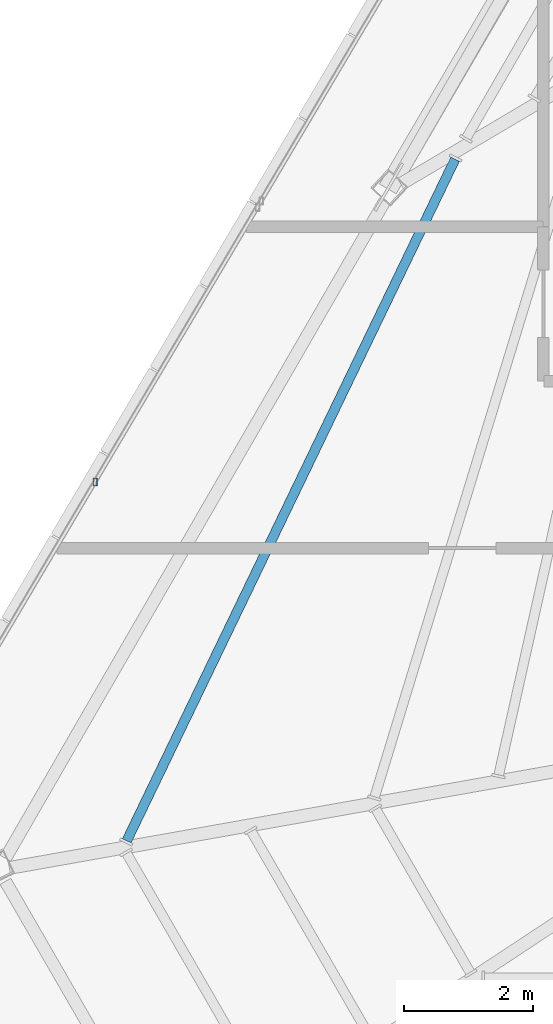
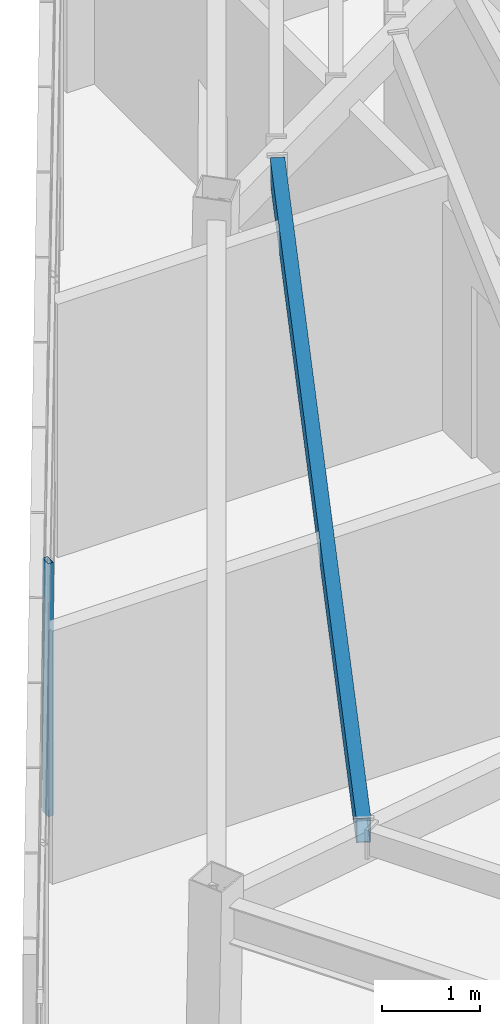
# One storey, part 9 of 48: 1 beam, 1 member, 1 element without a shape of its own.
"""IFC4 building model written with IfcOpenShell, lengths in metres."""

from ifc_helpers import new_model, si_unit, direction, frame, origin, origin_2d, place, context, subcontext, project, spatial, hollow_rectangle, extrude, source, transform, mapped, material, material_profile, profile_set, type_object, type_shapes, element, aggregate, save


model = new_model("IFC4")

# Units and contexts
model_context = context("Model", 3, precision=1e-05, world=origin(), true_north=direction((0.0, 1.0)))
body_context = subcontext(model_context, "Body", "Model", "MODEL_VIEW")
ifc_project = project(units=[si_unit("LENGTHUNIT", "METRE"), si_unit("AREAUNIT", "SQUARE_METRE"), si_unit("VOLUMEUNIT", "CUBIC_METRE"), si_unit("PLANEANGLEUNIT", "RADIAN"), si_unit("MASSUNIT", "GRAM", prefix="KILO")], contexts=[model_context])

# Site, building, storey
site_placement = place(None, origin())
site = spatial("IfcSite", under=ifc_project, at=site_placement, CompositionType="ELEMENT")
building_placement = place(site_placement, origin())
building = spatial("IfcBuilding", under=site, at=building_placement, Name="Caelisora Broadcast Tower", CompositionType="ELEMENT")
storey_placement = place(building_placement, frame((0.0, 0.0, 300.0)))
storey = spatial("IfcBuildingStorey", under=building, at=storey_placement, Name="L79", CompositionType="ELEMENT", Elevation=300.0)

# Beam
ifc_material_1 = material(Name="Steel Grade 350 (AS/NZS 1163 C350L0)", Category="steel")
ifc_material_profile_1 = material_profile(ifc_material_1, hollow_rectangle(XDim=0.14990234375, YDim=0.300048828125, WallThickness=0.010009765625, at=origin_2d()), Name="Steel Grade 350 (AS/NZS 1163 C350L0)")
ifc_profile_set_1 = profile_set([ifc_material_profile_1], Name="Steel Grade 350 (AS/NZS 1163 C350L0)")
beam_type = type_object("IfcBeamType", Name="SB05", PredefinedType="JOIST", material=ifc_profile_set_1)
shared_shape_1 = source(origin(), body_context, "Body", "SweptSolid", [
    extrude(hollow_rectangle(XDim=0.14990234375, YDim=0.300048828125, WallThickness=0.010009765625, at=origin_2d()), origin(), (0.0, 0.0, 1.0), 11.773681640625),
])
type_shapes(beam_type, [shared_shape_1])
beam_placement = place(storey_placement, frame((24.025146484375, 26.052490234375, 3.0), z_axis=(-0.434051900509, -0.90088786631, 0.0), x_axis=(0.90088786631, -0.434051900509, 0.0)))
element("IfcBeam", 1, at=beam_placement, inside=storey, type_object=beam_type, Name="L79 beam SB05", PredefinedType="JOIST", context=body_context, shape_type="MappedRepresentation", body=[
    mapped(shared_shape_1, transform((0.0, 0.0, 0.0), scale=1.0)),
])

# Curtain wall, member
ifc_material_2 = material(Name="Unitised Aluminium Insulated Shadow-Box Spandrel Curtain Wall", Category="aluminium")
curtain_wall_type = type_object("IfcCurtainWallType", Name="CW-SP3", PredefinedType="NOTDEFINED", material=ifc_material_2)
curtain_wall_placement = place(storey_placement, origin())
curtain_wall = element("IfcCurtainWall", 2, at=curtain_wall_placement, inside=storey, type_object=curtain_wall_type, Name="L79 curtain wall CW-SP3", PredefinedType="NOTDEFINED")
ifc_material_3 = material(Name="Aluminium 6063-T6 Anodised Terracotta Bronze", Category="aluminium")
ifc_material_profile_2 = material_profile(ifc_material_3, hollow_rectangle(XDim=0.06005859375, YDim=0.1201171875, WallThickness=0.0029296875, at=origin_2d()), Name="Aluminium 6063-T6 Anodised Terracotta Bronze")
ifc_profile_set_2 = profile_set([ifc_material_profile_2], Name="Aluminium 6063-T6 Anodised Terracotta Bronze")
member_type = type_object("IfcMemberType", Name="CWM-04", PredefinedType="MULLION", material=ifc_profile_set_2)
shared_shape_2 = source(origin(), body_context, "Body", "SweptSolid", [
    extrude(hollow_rectangle(XDim=0.06005859375, YDim=0.1201171875, WallThickness=0.0029296875, at=origin_2d()), origin(), (0.0, 0.0, 1.0), 3.14990234375),
])
type_shapes(member_type, [shared_shape_2])
member_placement = place(storey_placement, frame((18.423583984375, 21.02880859375, 0.0), z_axis=(0.0, 0.0, 1.0), x_axis=(1.0, 0.0, 0.0)))
member = element("IfcMember", 3, at=member_placement, type_object=member_type, Name="L79-CW-B09 mullion #2", PredefinedType="MULLION", context=body_context, shape_type="MappedRepresentation", body=[
    mapped(shared_shape_2, transform((0.0, 0.0, 0.0), scale=1.0)),
])
aggregate(curtain_wall, [member])

save(model, "model.ifc")
